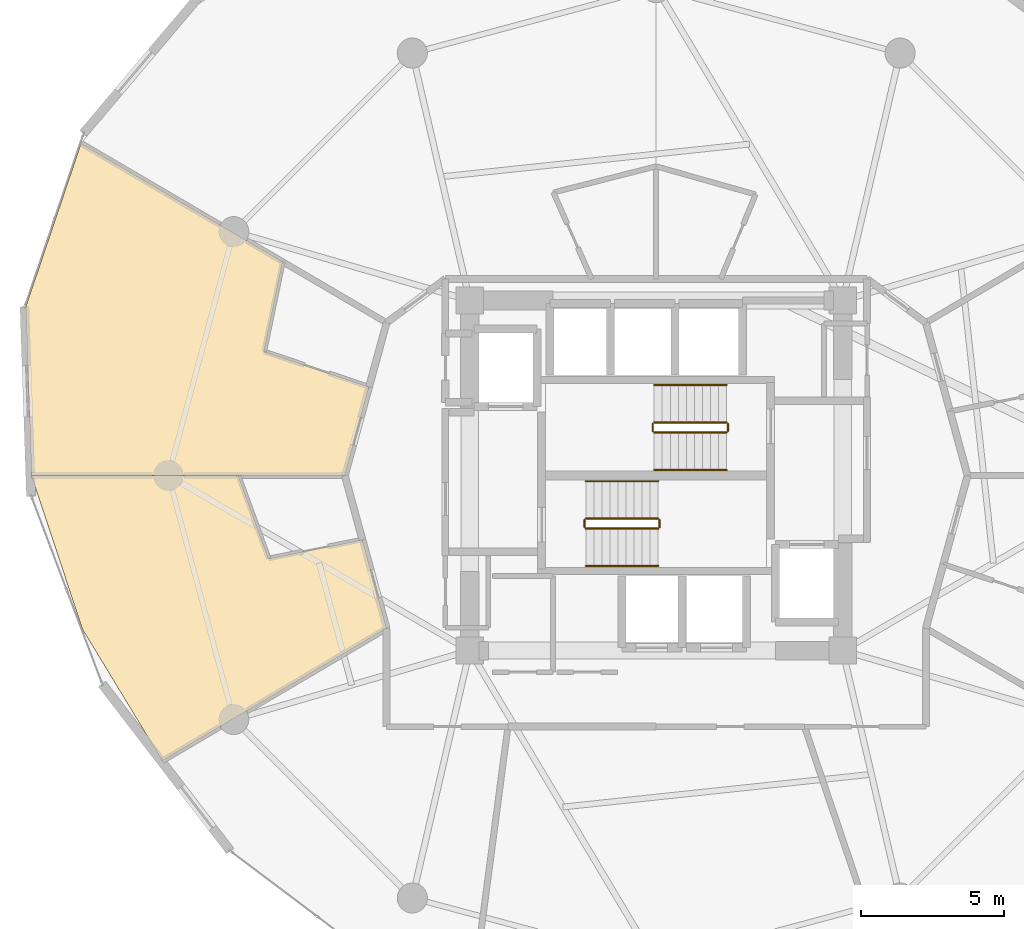
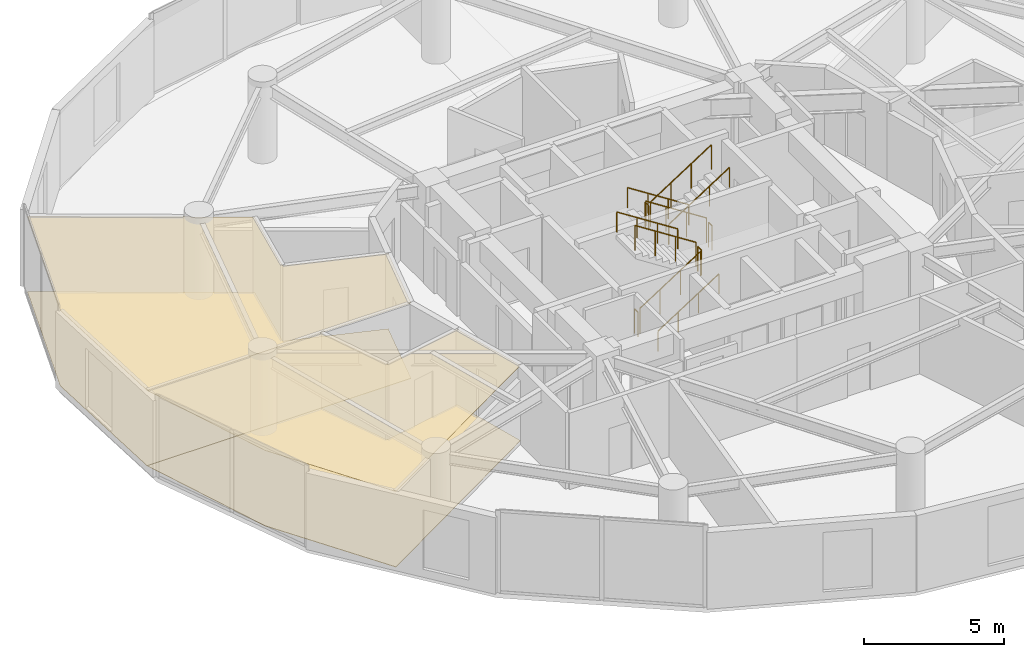
# One storey, part 22 of 23: 12 railings, 4 coverings.
"""IFC4 building model written with IfcOpenShell, lengths in metres."""

from ifc_helpers import new_model, si_unit, direction, frame, origin, origin_2d, place, context, subcontext, project, spatial, polyline, circle, outline, extrude, material, layer, layer_set, type_object, element, save


model = new_model("IFC4")

# Units and contexts
model_context = context("Model", 3, precision=1e-05, world=origin(), true_north=direction((0.0, 1.0)))
body_context = subcontext(model_context, "Body", "Model", "MODEL_VIEW")
ifc_project = project(units=[si_unit("LENGTHUNIT", "METRE"), si_unit("AREAUNIT", "SQUARE_METRE"), si_unit("VOLUMEUNIT", "CUBIC_METRE"), si_unit("PLANEANGLEUNIT", "RADIAN"), si_unit("MASSUNIT", "GRAM", prefix="KILO")], contexts=[model_context])

# Site, building, storey
site_placement = place(None, origin())
site = spatial("IfcSite", under=ifc_project, at=site_placement, CompositionType="ELEMENT")
building_placement = place(site_placement, origin())
building = spatial("IfcBuilding", under=site, at=building_placement, Name="Solvirekh Grand Hotel", CompositionType="ELEMENT")
storey_placement = place(building_placement, frame((0.0, 0.0, 109.800048828125)))
storey = spatial("IfcBuildingStorey", under=building, at=storey_placement, Name="L27", CompositionType="ELEMENT", Elevation=109.800048828125)

# Coverings
ifc_material_1 = material(Name="Acoustic Mineral Ceiling Tile")
ifc_layer_1 = layer(ifc_material_1, 0.02490234375)
ifc_layer_set_1 = layer_set([ifc_layer_1], Name="Acoustic Mineral Ceiling Tile")
covering_type_1 = type_object("IfcCoveringType", Name="Cov_Ceiling_Acoustic", PredefinedType="CEILING", material=ifc_layer_set_1)
covering_1_placement = place(storey_placement, frame((0.0, 0.0, 3.300048828125)))
element("IfcCovering", 1, at=covering_1_placement, inside=storey, type_object=covering_type_1, Name="L27 Deluxe Guestroom 2903 acoustic ceiling", PredefinedType="CEILING", context=body_context, shape_type="SweptSolid", body=[
    extrude(outline(polyline([(-13.666015625, 4.321044921875), (-13.01708984375, 7.448974609375), (-20.044921875, 11.572998046875), (-21.968994140625, 5.885986328125), (-21.77099609375, 0.0), (-10.85009765625, 0.0), (-10.007080078125, 3.089111328125), (-13.666015625, 4.321044921875)])), origin(), (0.0, 0.0, 1.0), 0.017822265625),
])
covering_2_placement = place(storey_placement, frame((0.0, 0.0, 3.300048828125)))
element("IfcCovering", 2, at=covering_2_placement, inside=storey, type_object=covering_type_1, Name="L27 Deluxe Guestroom 2904 acoustic ceiling", PredefinedType="CEILING", context=body_context, shape_type="SweptSolid", body=[
    extrude(outline(polyline([(-13.509033203125, -2.89501953125), (-14.56298828125, 0.0), (-21.77099609375, 0.0), (-19.991943359375, -5.35693359375), (-17.2109375, -9.93701171875), (-9.39599609375, -5.324951171875), (-10.239013671875, -2.236083984375), (-13.509033203125, -2.89501953125)])), origin(), (0.0, 0.0, 1.0), 0.017822265625),
])
ifc_material_2 = material(Name="Porcelain Stoneware Flooring", Category="masonry")
ifc_layer_2 = layer(ifc_material_2, 0.030029296875)
ifc_layer_set_2 = layer_set([ifc_layer_2], Name="Porcelain Stoneware Flooring")
covering_type_2 = type_object("IfcCoveringType", Name="Cov_Floor_Stone", PredefinedType="FLOORING", material=ifc_layer_set_2)
covering_3_placement = place(storey_placement, origin())
element("IfcCovering", 3, at=covering_3_placement, inside=storey, type_object=covering_type_2, Name="L27 Deluxe Guestroom 2903 polished granite flooring", PredefinedType="FLOORING", context=body_context, shape_type="SweptSolid", body=[
    extrude(outline(polyline([(-13.666015625, 4.321044921875), (-13.01708984375, 7.448974609375), (-20.044921875, 11.572998046875), (-21.968994140625, 5.885986328125), (-21.77099609375, 0.0), (-10.85009765625, 0.0), (-10.007080078125, 3.089111328125), (-13.666015625, 4.321044921875)])), origin(), (0.0, 0.0, 1.0), 0.02001953125),
])
covering_4_placement = place(storey_placement, origin())
element("IfcCovering", 4, at=covering_4_placement, inside=storey, type_object=covering_type_2, Name="L27 Deluxe Guestroom 2904 polished granite flooring", PredefinedType="FLOORING", context=body_context, shape_type="SweptSolid", body=[
    extrude(outline(polyline([(-13.509033203125, -2.89501953125), (-14.56298828125, 0.0), (-21.77099609375, 0.0), (-19.991943359375, -5.35693359375), (-17.2109375, -9.93701171875), (-9.39599609375, -5.324951171875), (-10.239013671875, -2.236083984375), (-13.509033203125, -2.89501953125)])), origin(), (0.0, 0.0, 1.0), 0.02001953125),
])

# Railings
ifc_material_3 = material(Name="Steel S355", Category="steel")
railing_type_1 = type_object("IfcRailingType", Name="Guard_Stair_1100", PredefinedType="GUARDRAIL", material=ifc_material_3)
railing_1_placement = place(storey_placement, frame((-2.449951171875, -1.85009765625, 0.179931640625)))
element("IfcRailing", 5, at=railing_1_placement, inside=storey, type_object=railing_type_1, Name="L27 ST-1 stair guard 1", PredefinedType="GUARDRAIL", context=body_context, shape_type="SweptSolid", body=[
    extrude(circle(Radius=0.02392578125, at=origin_2d()), frame((0.0, 0.0, 1.076171875), z_axis=(0.841162588446, 0.0, 0.540782303519), x_axis=(0.0, 1.0, 0.0)), (0.0, 0.0, 1.0), 2.995849609375),
    extrude(circle(Radius=0.02099609375, at=origin_2d()), origin(), (0.0, 0.0, 1.0), 1.052001953125),
    extrude(circle(Radius=0.02099609375, at=origin_2d()), frame((0.840087890625, 0.0, 0.5400390625)), (0.0, 0.0, 1.0), 1.052001953125),
    extrude(circle(Radius=0.02099609375, at=origin_2d()), frame((1.679931640625, 0.0, 1.080078125)), (0.0, 0.0, 1.0), 1.052001953125),
    extrude(circle(Radius=0.02099609375, at=origin_2d()), frame((2.52001953125, 0.0, 1.6201171875)), (0.0, 0.0, 1.0), 1.052001953125),
])
railing_2_placement = place(storey_placement, frame((0.1201171875, -1.800048828125, 1.800048828125)))
element("IfcRailing", 6, at=railing_2_placement, inside=storey, type_object=railing_type_1, Name="L27 ST-1 stair guard 2", PredefinedType="GUARDRAIL", context=body_context, shape_type="SweptSolid", body=[
    extrude(circle(Radius=0.02392578125, at=origin_2d()), frame((0.0, 0.0, 1.076171875), z_axis=(0.0, 1.0, 0.0), x_axis=(-1.0, 0.0, 0.0)), (0.0, 0.0, 1.0), 0.25),
    extrude(circle(Radius=0.02099609375, at=origin_2d()), origin(), (0.0, 0.0, 1.0), 1.052001953125),
    extrude(circle(Radius=0.02099609375, at=origin_2d()), frame((0.0, 0.25, 0.0)), (0.0, 0.0, 1.0), 1.052001953125),
])
railing_3_placement = place(storey_placement, frame((0.070068359375, -1.5, 1.97998046875)))
element("IfcRailing", 7, at=railing_3_placement, inside=storey, type_object=railing_type_1, Name="L27 ST-1 stair guard 3", PredefinedType="GUARDRAIL", context=body_context, shape_type="SweptSolid", body=[
    extrude(circle(Radius=0.02392578125, at=origin_2d()), frame((0.0, 0.0, 1.076171875), z_axis=(-0.841199657755, 0.0, 0.540724639528), x_axis=(0.0, -1.0, 0.0)), (0.0, 0.0, 1.0), 2.995849609375),
    extrude(circle(Radius=0.02099609375, at=origin_2d()), origin(), (0.0, 0.0, 1.0), 1.052001953125),
    extrude(circle(Radius=0.02099609375, at=origin_2d()), frame((-0.840087890625, 0.0, 0.5400390625)), (0.0, 0.0, 1.0), 1.052001953125),
    extrude(circle(Radius=0.02099609375, at=origin_2d()), frame((-1.679931640625, 0.0, 1.079833984375)), (0.0, 0.0, 1.0), 1.052001953125),
    extrude(circle(Radius=0.02099609375, at=origin_2d()), frame((-2.52001953125, 0.0, 1.619873046875)), (0.0, 0.0, 1.0), 1.052001953125),
])
railing_4_placement = place(storey_placement, frame((-2.5, -1.800048828125, 0.0)))
element("IfcRailing", 8, at=railing_4_placement, inside=storey, type_object=railing_type_1, Name="L27 ST-1 stair guard 4", PredefinedType="GUARDRAIL", context=body_context, shape_type="SweptSolid", body=[
    extrude(circle(Radius=0.02392578125, at=origin_2d()), frame((0.0, 0.0, 1.076171875), z_axis=(0.0, 1.0, 0.0), x_axis=(-1.0, 0.0, 0.0)), (0.0, 0.0, 1.0), 0.25),
    extrude(circle(Radius=0.02099609375, at=origin_2d()), origin(), (0.0, 0.0, 1.0), 1.052001953125),
    extrude(circle(Radius=0.02099609375, at=origin_2d()), frame((0.0, 0.25, 0.0)), (0.0, 0.0, 1.0), 1.052001953125),
])
railing_5_placement = place(storey_placement, frame((2.449951171875, 1.85009765625, 0.179931640625)))
element("IfcRailing", 9, at=railing_5_placement, inside=storey, type_object=railing_type_1, Name="L27 ST-2 stair guard 1", PredefinedType="GUARDRAIL", context=body_context, shape_type="SweptSolid", body=[
    extrude(circle(Radius=0.02392578125, at=origin_2d()), frame((0.0, 0.0, 1.076171875), z_axis=(-0.841162588446, 0.0, 0.540782303519), x_axis=(0.0, -1.0, 0.0)), (0.0, 0.0, 1.0), 2.995849609375),
    extrude(circle(Radius=0.02099609375, at=origin_2d()), origin(), (0.0, 0.0, 1.0), 1.052001953125),
    extrude(circle(Radius=0.02099609375, at=origin_2d()), frame((-0.840087890625, 0.0, 0.5400390625)), (0.0, 0.0, 1.0), 1.052001953125),
    extrude(circle(Radius=0.02099609375, at=origin_2d()), frame((-1.679931640625, 0.0, 1.080078125)), (0.0, 0.0, 1.0), 1.052001953125),
    extrude(circle(Radius=0.02099609375, at=origin_2d()), frame((-2.52001953125, 0.0, 1.6201171875)), (0.0, 0.0, 1.0), 1.052001953125),
])
railing_6_placement = place(storey_placement, frame((-0.1201171875, 1.800048828125, 1.800048828125)))
element("IfcRailing", 10, at=railing_6_placement, inside=storey, type_object=railing_type_1, Name="L27 ST-2 stair guard 2", PredefinedType="GUARDRAIL", context=body_context, shape_type="SweptSolid", body=[
    extrude(circle(Radius=0.02392578125, at=origin_2d()), frame((0.0, 0.0, 1.076171875), z_axis=(0.0, -1.0, 0.0), x_axis=(1.0, 0.0, 0.0)), (0.0, 0.0, 1.0), 0.25),
    extrude(circle(Radius=0.02099609375, at=origin_2d()), origin(), (0.0, 0.0, 1.0), 1.052001953125),
    extrude(circle(Radius=0.02099609375, at=origin_2d()), frame((0.0, -0.25, 0.0)), (0.0, 0.0, 1.0), 1.052001953125),
])
railing_7_placement = place(storey_placement, frame((-0.070068359375, 1.5, 1.97998046875)))
element("IfcRailing", 11, at=railing_7_placement, inside=storey, type_object=railing_type_1, Name="L27 ST-2 stair guard 3", PredefinedType="GUARDRAIL", context=body_context, shape_type="SweptSolid", body=[
    extrude(circle(Radius=0.02392578125, at=origin_2d()), frame((0.0, 0.0, 1.076171875), z_axis=(0.841199657755, 0.0, 0.540724639528), x_axis=(0.0, 1.0, 0.0)), (0.0, 0.0, 1.0), 2.995849609375),
    extrude(circle(Radius=0.02099609375, at=origin_2d()), origin(), (0.0, 0.0, 1.0), 1.052001953125),
    extrude(circle(Radius=0.02099609375, at=origin_2d()), frame((0.840087890625, 0.0, 0.5400390625)), (0.0, 0.0, 1.0), 1.052001953125),
    extrude(circle(Radius=0.02099609375, at=origin_2d()), frame((1.679931640625, 0.0, 1.079833984375)), (0.0, 0.0, 1.0), 1.052001953125),
    extrude(circle(Radius=0.02099609375, at=origin_2d()), frame((2.52001953125, 0.0, 1.619873046875)), (0.0, 0.0, 1.0), 1.052001953125),
])
railing_8_placement = place(storey_placement, frame((2.5, 1.800048828125, 0.0)))
element("IfcRailing", 12, at=railing_8_placement, inside=storey, type_object=railing_type_1, Name="L27 ST-2 stair guard 4", PredefinedType="GUARDRAIL", context=body_context, shape_type="SweptSolid", body=[
    extrude(circle(Radius=0.02392578125, at=origin_2d()), frame((0.0, 0.0, 1.076171875), z_axis=(0.0, -1.0, 0.0), x_axis=(1.0, 0.0, 0.0)), (0.0, 0.0, 1.0), 0.25),
    extrude(circle(Radius=0.02099609375, at=origin_2d()), origin(), (0.0, 0.0, 1.0), 1.052001953125),
    extrude(circle(Radius=0.02099609375, at=origin_2d()), frame((0.0, -0.25, 0.0)), (0.0, 0.0, 1.0), 1.052001953125),
])
ifc_material_4 = material(Name="Anodized Bronze Aluminium 6063-T6", Category="aluminium")
railing_type_2 = type_object("IfcRailingType", Name="Handrail_Wall_900", PredefinedType="HANDRAIL", material=ifc_material_4)
railing_9_placement = place(storey_placement, frame((-2.449951171875, -3.14990234375, 0.179931640625)))
element("IfcRailing", 13, at=railing_9_placement, inside=storey, type_object=railing_type_2, Name="L27 ST-1 stair handrail 1", PredefinedType="HANDRAIL", context=body_context, shape_type="SweptSolid", body=[
    extrude(circle(Radius=0.02392578125, at=origin_2d()), frame((0.0, 0.0, 0.8759765625), z_axis=(0.841162588446, 0.0, 0.540782303519), x_axis=(0.0, 1.0, 0.0)), (0.0, 0.0, 1.0), 2.995849609375),
    extrude(circle(Radius=0.02099609375, at=origin_2d()), origin(), (0.0, 0.0, 1.0), 0.851806640625),
    extrude(circle(Radius=0.02099609375, at=origin_2d()), frame((0.840087890625, 0.0, 0.5400390625)), (0.0, 0.0, 1.0), 0.851806640625),
    extrude(circle(Radius=0.02099609375, at=origin_2d()), frame((1.679931640625, 0.0, 1.080078125)), (0.0, 0.0, 1.0), 0.851806640625),
    extrude(circle(Radius=0.02099609375, at=origin_2d()), frame((2.52001953125, 0.0, 1.6201171875)), (0.0, 0.0, 1.0), 0.851806640625),
])
railing_10_placement = place(storey_placement, frame((0.070068359375, -0.199951171875, 1.97998046875)))
element("IfcRailing", 14, at=railing_10_placement, inside=storey, type_object=railing_type_2, Name="L27 ST-1 stair handrail 2", PredefinedType="HANDRAIL", context=body_context, shape_type="SweptSolid", body=[
    extrude(circle(Radius=0.02392578125, at=origin_2d()), frame((0.0, 0.0, 0.8759765625), z_axis=(-0.841199657755, 0.0, 0.540724639528), x_axis=(0.0, -1.0, 0.0)), (0.0, 0.0, 1.0), 2.995849609375),
    extrude(circle(Radius=0.02099609375, at=origin_2d()), origin(), (0.0, 0.0, 1.0), 0.851806640625),
    extrude(circle(Radius=0.02099609375, at=origin_2d()), frame((-0.840087890625, 0.0, 0.5400390625)), (0.0, 0.0, 1.0), 0.851806640625),
    extrude(circle(Radius=0.02099609375, at=origin_2d()), frame((-1.679931640625, 0.0, 1.079833984375)), (0.0, 0.0, 1.0), 0.851806640625),
    extrude(circle(Radius=0.02099609375, at=origin_2d()), frame((-2.52001953125, 0.0, 1.619873046875)), (0.0, 0.0, 1.0), 0.851806640625),
])
railing_11_placement = place(storey_placement, frame((2.449951171875, 3.14990234375, 0.179931640625)))
element("IfcRailing", 15, at=railing_11_placement, inside=storey, type_object=railing_type_2, Name="L27 ST-2 stair handrail 1", PredefinedType="HANDRAIL", context=body_context, shape_type="SweptSolid", body=[
    extrude(circle(Radius=0.02392578125, at=origin_2d()), frame((0.0, 0.0, 0.8759765625), z_axis=(-0.841162588446, 0.0, 0.540782303519), x_axis=(0.0, -1.0, 0.0)), (0.0, 0.0, 1.0), 2.995849609375),
    extrude(circle(Radius=0.02099609375, at=origin_2d()), origin(), (0.0, 0.0, 1.0), 0.851806640625),
    extrude(circle(Radius=0.02099609375, at=origin_2d()), frame((-0.840087890625, 0.0, 0.5400390625)), (0.0, 0.0, 1.0), 0.851806640625),
    extrude(circle(Radius=0.02099609375, at=origin_2d()), frame((-1.679931640625, 0.0, 1.080078125)), (0.0, 0.0, 1.0), 0.851806640625),
    extrude(circle(Radius=0.02099609375, at=origin_2d()), frame((-2.52001953125, 0.0, 1.6201171875)), (0.0, 0.0, 1.0), 0.851806640625),
])
railing_12_placement = place(storey_placement, frame((-0.070068359375, 0.199951171875, 1.97998046875)))
element("IfcRailing", 16, at=railing_12_placement, inside=storey, type_object=railing_type_2, Name="L27 ST-2 stair handrail 2", PredefinedType="HANDRAIL", context=body_context, shape_type="SweptSolid", body=[
    extrude(circle(Radius=0.02392578125, at=origin_2d()), frame((0.0, 0.0, 0.8759765625), z_axis=(0.841199657755, 0.0, 0.540724639528), x_axis=(0.0, 1.0, 0.0)), (0.0, 0.0, 1.0), 2.995849609375),
    extrude(circle(Radius=0.02099609375, at=origin_2d()), origin(), (0.0, 0.0, 1.0), 0.851806640625),
    extrude(circle(Radius=0.02099609375, at=origin_2d()), frame((0.840087890625, 0.0, 0.5400390625)), (0.0, 0.0, 1.0), 0.851806640625),
    extrude(circle(Radius=0.02099609375, at=origin_2d()), frame((1.679931640625, 0.0, 1.079833984375)), (0.0, 0.0, 1.0), 0.851806640625),
    extrude(circle(Radius=0.02099609375, at=origin_2d()), frame((2.52001953125, 0.0, 1.619873046875)), (0.0, 0.0, 1.0), 0.851806640625),
])

save(model, "model.ifc")
